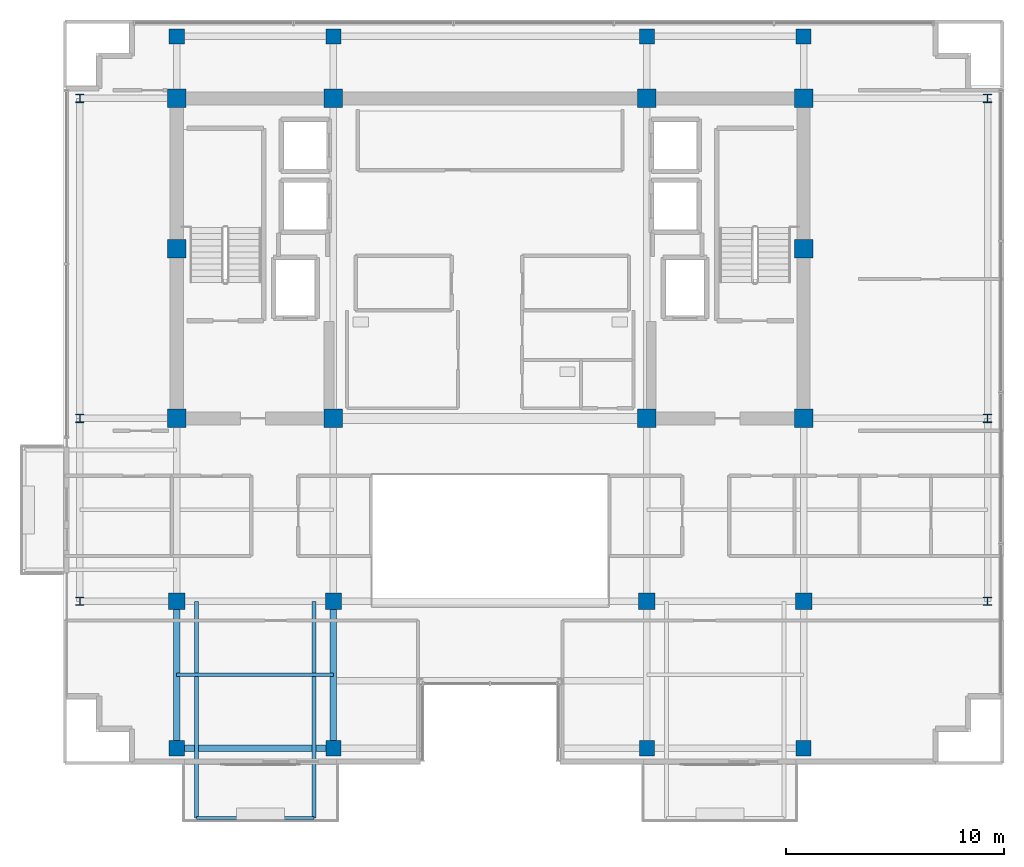
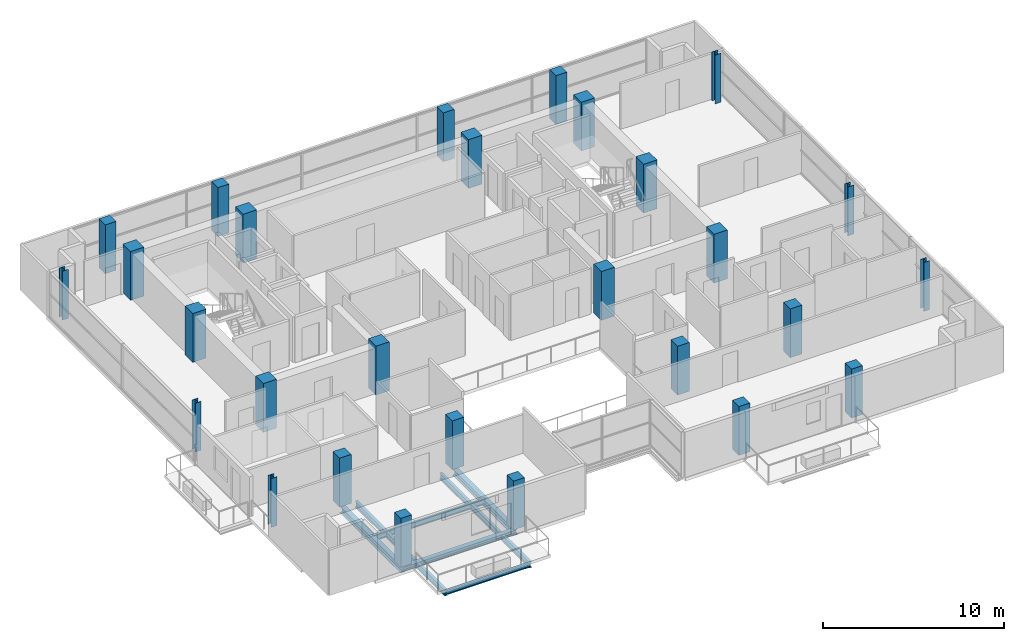
# One storey, part 1 of 21: 28 columns, 7 beams.
"""IFC4 building model written with IfcOpenShell, lengths in metres."""

from ifc_helpers import new_model, si_unit, direction, frame, origin, origin_2d, place, context, subcontext, project, spatial, rectangle, i_section, extrude, material, material_profile, profile_set, type_object, element, save


model = new_model("IFC4")

# Units and contexts
model_context = context("Model", 3, precision=1e-05, world=origin(), true_north=direction((0.0, 1.0)))
body_context = subcontext(model_context, "Body", "Model", "MODEL_VIEW")
ifc_project = project(units=[si_unit("LENGTHUNIT", "METRE"), si_unit("AREAUNIT", "SQUARE_METRE"), si_unit("VOLUMEUNIT", "CUBIC_METRE"), si_unit("PLANEANGLEUNIT", "RADIAN"), si_unit("MASSUNIT", "GRAM", prefix="KILO")], contexts=[model_context])

# Site, building, storey
site_placement = place(None, origin())
site = spatial("IfcSite", under=ifc_project, at=site_placement, CompositionType="ELEMENT")
building_placement = place(site_placement, origin())
building = spatial("IfcBuilding", under=site, at=building_placement, Name="Zarnakvel Exchange Tower", CompositionType="ELEMENT")
storey_placement = place(building_placement, frame((0.0, 0.0, 255.10009765625)))
storey = spatial("IfcBuildingStorey", under=building, at=storey_placement, Name="L72", CompositionType="ELEMENT", Elevation=255.10009765625)

# Columns
ifc_material_1 = material(Name="Concrete C50/60", Category="concrete")
ifc_material_profile_1 = material_profile(ifc_material_1, rectangle(XDim=0.85009765625, YDim=0.85009765625, at=origin_2d()))
ifc_profile_set_1 = profile_set([ifc_material_profile_1], Name="Concrete C50/60")
column_type_1 = type_object("IfcColumnType", Name="CC-03", PredefinedType="COLUMN", material=ifc_profile_set_1)
for number, where, z_axis, x_axis, name in (
    (1, (-14.39990234375, -1.199951171875, 0.0), (0.0, 0.0, 1.0), (1.0, 0.0, 0.0), "L72 Column C-4D (CC-03)"),
    (2, (-7.199951171875, -1.199951171875, 0.0), (0.0, 0.0, 1.0), (1.0, 0.0, 0.0), "L72 Column C-5D (CC-03)"),
    (3, (7.199951171875, -1.199951171875, 0.0), (0.0, 0.0, 1.0), (1.0, 0.0, 0.0), "L72 Column C-8D (CC-03)"),
    (4, (14.39990234375, -1.199951171875, 0.0), (0.0, 0.0, 1.0), (1.0, 0.0, 0.0), "L72 Column C-9D (CC-03)"),
    (5, (-14.39990234375, 6.60009765625, 0.0), (0.0, 0.0, 1.0), (1.0, 0.0, 0.0), "L72 Column C-4E (CC-03)"),
    (6, (14.39990234375, 6.60009765625, 0.0), (0.0, 0.0, 1.0), (1.0, 0.0, 0.0), "L72 Column C-9E (CC-03)"),
    (7, (-14.39990234375, 13.5, 0.0), (0.0, 0.0, 1.0), (1.0, 0.0, 0.0), "L72 Column C-4F (CC-03)"),
    (8, (-7.199951171875, 13.5, 0.0), (0.0, 0.0, 1.0), (1.0, 0.0, 0.0), "L72 Column C-5F (CC-03)"),
    (9, (7.199951171875, 13.5, 0.0), (0.0, 0.0, 1.0), (1.0, 0.0, 0.0), "L72 Column C-8F (CC-03)"),
    (10, (14.39990234375, 13.5, 0.0), (0.0, 0.0, 1.0), (1.0, 0.0, 0.0), "L72 Column C-9F (CC-03)"),
):
    element("IfcColumn", number, at=place(storey_placement, frame(where, z_axis=z_axis, x_axis=x_axis)), inside=storey, type_object=column_type_1, Name=name, PredefinedType="COLUMN", context=body_context, shape_type="SweptSolid", body=[
        extrude(rectangle(XDim=0.85009765625, YDim=0.85009765625, at=origin_2d()), origin(), (0.0, 0.0, 1.0), 3.2998046875),
    ])
ifc_material_2 = material(Name="Steel S355", Category="steel")
ifc_material_profile_2 = material_profile(ifc_material_2, i_section(OverallWidth=0.374755859375, OverallDepth=0.37451171875, WebThickness=0.0166015625, FlangeThickness=0.027099609375, FilletRadius=0.01513671875, at=origin_2d()))
ifc_profile_set_2 = profile_set([ifc_material_profile_2], Name="Steel S355")
column_type_2 = type_object("IfcColumnType", Name="SC-05", PredefinedType="COLUMN", material=ifc_profile_set_2)
for number, where, z_axis, x_axis, name in (
    (11, (-18.85009765625, -9.60009765625, 0.0), (0.0, 0.0, 1.0), (1.0, 0.0, 0.0), "L72 Column TW-C (SC-05)"),
    (12, (22.85009765625, -9.60009765625, 0.0), (0.0, 0.0, 1.0), (1.0, 0.0, 0.0), "L72 Column TE-C (SC-05)"),
    (13, (-18.85009765625, -1.199951171875, 0.0), (0.0, 0.0, 1.0), (1.0, 0.0, 0.0), "L72 Column TW-D (SC-05)"),
    (14, (22.85009765625, -1.199951171875, 0.0), (0.0, 0.0, 1.0), (1.0, 0.0, 0.0), "L72 Column TE-D (SC-05)"),
    (15, (-18.85009765625, 13.5, 0.0), (0.0, 0.0, 1.0), (1.0, 0.0, 0.0), "L72 Column TW-F (SC-05)"),
    (16, (22.85009765625, 13.5, 0.0), (0.0, 0.0, 1.0), (1.0, 0.0, 0.0), "L72 Column TE-F (SC-05)"),
):
    element("IfcColumn", number, at=place(storey_placement, frame(where, z_axis=z_axis, x_axis=x_axis)), inside=storey, type_object=column_type_2, Name=name, PredefinedType="COLUMN", context=body_context, shape_type="SweptSolid", body=[
        extrude(i_section(OverallWidth=0.374755859375, OverallDepth=0.37451171875, WebThickness=0.0166015625, FlangeThickness=0.027099609375, FilletRadius=0.01513671875, at=origin_2d()), origin(), (0.0, 0.0, 1.0), 3.2998046875),
    ])
ifc_material_profile_3 = material_profile(ifc_material_1, rectangle(XDim=0.75, YDim=0.75, at=origin_2d()))
ifc_profile_set_3 = profile_set([ifc_material_profile_3], Name="Concrete C50/60")
column_type_3 = type_object("IfcColumnType", Name="TC-04", PredefinedType="COLUMN", material=ifc_profile_set_3)
for number, where, z_axis, x_axis, name in (
    (17, (-14.39990234375, -9.60009765625, 0.0), (0.0, 0.0, 1.0), (1.0, 0.0, 0.0), "L72 Column T-4C (TC-04)"),
    (18, (-7.199951171875, -9.60009765625, 0.0), (0.0, 0.0, 1.0), (1.0, 0.0, 0.0), "L72 Column T-5C (TC-04)"),
    (19, (7.199951171875, -9.60009765625, 0.0), (0.0, 0.0, 1.0), (1.0, 0.0, 0.0), "L72 Column T-8C (TC-04)"),
    (20, (14.39990234375, -9.60009765625, 0.0), (0.0, 0.0, 1.0), (1.0, 0.0, 0.0), "L72 Column T-9C (TC-04)"),
):
    element("IfcColumn", number, at=place(storey_placement, frame(where, z_axis=z_axis, x_axis=x_axis)), inside=storey, type_object=column_type_3, Name=name, PredefinedType="COLUMN", context=body_context, shape_type="SweptSolid", body=[
        extrude(rectangle(XDim=0.75, YDim=0.75, at=origin_2d()), origin(), (0.0, 0.0, 1.0), 3.2998046875),
    ])
ifc_material_profile_4 = material_profile(ifc_material_1, rectangle(XDim=0.699951171875, YDim=0.699951171875, at=origin_2d()))
ifc_profile_set_4 = profile_set([ifc_material_profile_4], Name="Concrete C50/60")
column_type_4 = type_object("IfcColumnType", Name="TC-05", PredefinedType="COLUMN", material=ifc_profile_set_4)
for number, where, z_axis, x_axis, name in (
    (21, (-14.39990234375, -16.35009765625, 0.0), (0.0, 0.0, 1.0), (1.0, 0.0, 0.0), "L72 Column TS-4 (TC-05)"),
    (22, (-14.39990234375, 16.35009765625, 0.0), (0.0, 0.0, 1.0), (1.0, 0.0, 0.0), "L72 Column TN-4 (TC-05)"),
    (23, (-7.199951171875, -16.35009765625, 0.0), (0.0, 0.0, 1.0), (1.0, 0.0, 0.0), "L72 Column TS-5 (TC-05)"),
    (24, (-7.199951171875, 16.35009765625, 0.0), (0.0, 0.0, 1.0), (1.0, 0.0, 0.0), "L72 Column TN-5 (TC-05)"),
    (25, (7.199951171875, -16.35009765625, 0.0), (0.0, 0.0, 1.0), (1.0, 0.0, 0.0), "L72 Column TS-8 (TC-05)"),
    (26, (7.199951171875, 16.35009765625, 0.0), (0.0, 0.0, 1.0), (1.0, 0.0, 0.0), "L72 Column TN-8 (TC-05)"),
    (27, (14.39990234375, -16.35009765625, 0.0), (0.0, 0.0, 1.0), (1.0, 0.0, 0.0), "L72 Column TS-9 (TC-05)"),
    (28, (14.39990234375, 16.35009765625, 0.0), (0.0, 0.0, 1.0), (1.0, 0.0, 0.0), "L72 Column TN-9 (TC-05)"),
):
    element("IfcColumn", number, at=place(storey_placement, frame(where, z_axis=z_axis, x_axis=x_axis)), inside=storey, type_object=column_type_4, Name=name, PredefinedType="COLUMN", context=body_context, shape_type="SweptSolid", body=[
        extrude(rectangle(XDim=0.699951171875, YDim=0.699951171875, at=origin_2d()), origin(), (0.0, 0.0, 1.0), 3.2998046875),
    ])

# Beams
ifc_material_profile_5 = material_profile(ifc_material_2, i_section(OverallWidth=0.179931640625, OverallDepth=0.39990234375, WebThickness=0.008544921875, FlangeThickness=0.013427734375, FilletRadius=0.02099609375, at=origin_2d()))
ifc_profile_set_5 = profile_set([ifc_material_profile_5], Name="Steel S355")
beam_type_1 = type_object("IfcBeamType", Name="B-06", PredefinedType="JOIST", material=ifc_profile_set_5)
for number, where, z_axis, x_axis, name in (
    (29, (-13.5, -9.60009765625, -0.425048828125), (0.0, -1.0, 0.0), (1.0, 0.0, 0.0), "L72 Continuous Back-Spanned Balcony Beam W"),
    (30, (-8.10009765625, -9.60009765625, -0.425048828125), (0.0, -1.0, 0.0), (1.0, 0.0, 0.0), "L72 Continuous Back-Spanned Balcony Beam E"),
):
    element("IfcBeam", number, at=place(storey_placement, frame(where, z_axis=z_axis, x_axis=x_axis)), inside=storey, type_object=beam_type_1, Name=name, PredefinedType="JOIST", context=body_context, shape_type="SweptSolid", body=[
        extrude(i_section(OverallWidth=0.179931640625, OverallDepth=0.39990234375, WebThickness=0.008544921875, FlangeThickness=0.013427734375, FilletRadius=0.02099609375, at=origin_2d()), origin(), (0.0, 0.0, 1.0), 9.949951171875),
    ])
ifc_material_profile_6 = material_profile(ifc_material_2, i_section(OverallWidth=0.169921875, OverallDepth=0.360107421875, WebThickness=0.008056640625, FlangeThickness=0.0126953125, FilletRadius=0.01806640625, at=origin_2d()))
ifc_profile_set_6 = profile_set([ifc_material_profile_6], Name="Steel S355")
beam_type_2 = type_object("IfcBeamType", Name="B-07", PredefinedType="JOIST", material=ifc_profile_set_6)
beam_1_placement = place(storey_placement, frame((-14.39990234375, -12.97509765625, -0.405029296875), z_axis=(1.0, 0.0, 0.0), x_axis=(0.0, 1.0, 0.0)))
element("IfcBeam", 31, at=beam_1_placement, inside=storey, type_object=beam_type_2, Name="L72 Composite Floor Secondary Joist", PredefinedType="JOIST", context=body_context, shape_type="SweptSolid", body=[
    extrude(i_section(OverallWidth=0.169921875, OverallDepth=0.360107421875, WebThickness=0.008056640625, FlangeThickness=0.0126953125, FilletRadius=0.01806640625, at=origin_2d()), origin(), (0.0, 0.0, 1.0), 7.199951171875),
])
ifc_material_profile_7 = material_profile(ifc_material_2, i_section(OverallWidth=0.14990234375, OverallDepth=0.300048828125, WebThickness=0.007080078125, FlangeThickness=0.0107421875, FilletRadius=0.014892578125, at=origin_2d()))
ifc_profile_set_7 = profile_set([ifc_material_profile_7], Name="Steel S355")
beam_type_3 = type_object("IfcBeamType", Name="B-08", PredefinedType="JOIST", material=ifc_profile_set_7)
beam_2_placement = place(storey_placement, frame((-13.5, -19.550048828125, -0.375), z_axis=(1.0, 0.0, 0.0), x_axis=(0.0, 1.0, 0.0)))
element("IfcBeam", 32, at=beam_2_placement, inside=storey, type_object=beam_type_3, Name="L72 Balcony Edge Beam", PredefinedType="JOIST", context=body_context, shape_type="SweptSolid", body=[
    extrude(i_section(OverallWidth=0.14990234375, OverallDepth=0.300048828125, WebThickness=0.007080078125, FlangeThickness=0.0107421875, FilletRadius=0.014892578125, at=origin_2d()), origin(), (0.0, 0.0, 1.0), 5.39990234375),
])
ifc_material_profile_8 = material_profile(ifc_material_2, i_section(OverallWidth=0.300048828125, OverallDepth=0.449951171875, WebThickness=0.013916015625, FlangeThickness=0.02587890625, FilletRadius=0.027099609375, at=origin_2d()))
ifc_profile_set_8 = profile_set([ifc_material_profile_8], Name="Steel S355")
beam_type_4 = type_object("IfcBeamType", Name="G-07", PredefinedType="BEAM", material=ifc_profile_set_8)
for number, where, z_axis, x_axis, name in (
    (33, (-14.39990234375, -16.35009765625, -0.4501953125), (0.0, 1.0, 0.0), (-1.0, 0.0, 0.0), "L72 Tower N-S Frame Beam"),
    (34, (-7.199951171875, -16.35009765625, -0.4501953125), (0.0, 1.0, 0.0), (-1.0, 0.0, 0.0), "L72 Tower N-S Frame Beam"),
):
    element("IfcBeam", number, at=place(storey_placement, frame(where, z_axis=z_axis, x_axis=x_axis)), inside=storey, type_object=beam_type_4, Name=name, PredefinedType="BEAM", context=body_context, shape_type="SweptSolid", body=[
        extrude(i_section(OverallWidth=0.300048828125, OverallDepth=0.449951171875, WebThickness=0.013916015625, FlangeThickness=0.02587890625, FilletRadius=0.027099609375, at=origin_2d()), origin(), (0.0, 0.0, 1.0), 6.75),
    ])
ifc_material_profile_9 = material_profile(ifc_material_2, i_section(OverallWidth=0.300048828125, OverallDepth=0.300048828125, WebThickness=0.010986328125, FlangeThickness=0.01904296875, FilletRadius=0.027099609375, at=origin_2d()))
ifc_profile_set_9 = profile_set([ifc_material_profile_9], Name="Steel S355")
beam_type_5 = type_object("IfcBeamType", Name="SP-03", PredefinedType="SPANDREL", material=ifc_profile_set_9)
beam_3_placement = place(storey_placement, frame((-14.39990234375, -16.35009765625, -0.375), z_axis=(1.0, 0.0, 0.0), x_axis=(0.0, 1.0, 0.0)))
element("IfcBeam", 35, at=beam_3_placement, inside=storey, type_object=beam_type_5, Name="L72 Tower E-W Frame Beam", PredefinedType="SPANDREL", context=body_context, shape_type="SweptSolid", body=[
    extrude(i_section(OverallWidth=0.300048828125, OverallDepth=0.300048828125, WebThickness=0.010986328125, FlangeThickness=0.01904296875, FilletRadius=0.027099609375, at=origin_2d()), origin(), (0.0, 0.0, 1.0), 7.199951171875),
])

save(model, "model.ifc")
